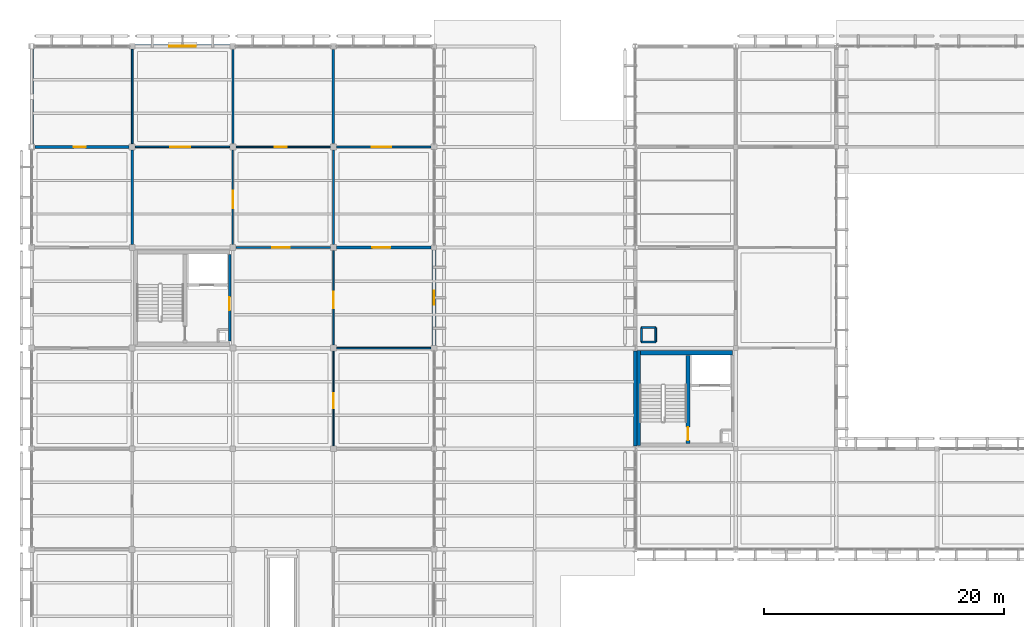
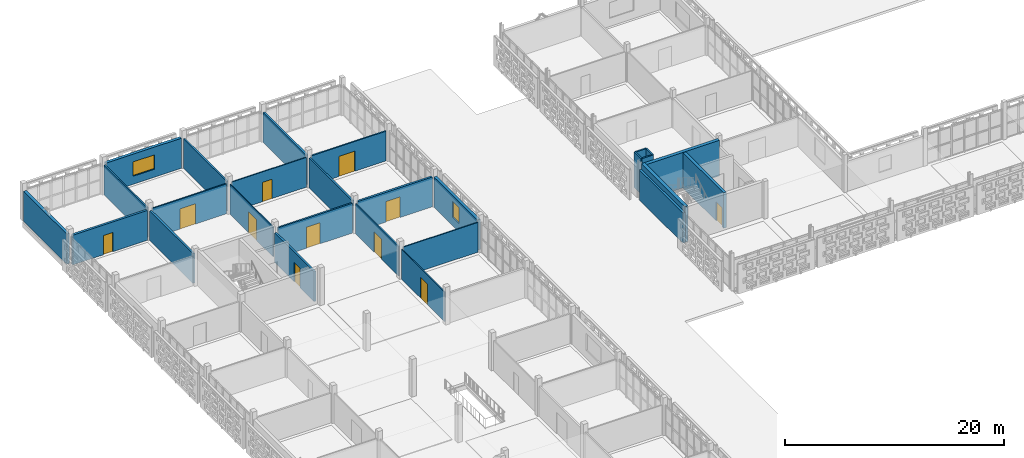
# One storey, part 100 of 166: 27 walls, 11 doors, 2 windows, 13 openings.
"""IFC4 building model written with IfcOpenShell, lengths in metres."""

from ifc_helpers import new_model, si_unit, direction, frame, frame_2d, origin, place, context, subcontext, project, spatial, rectangle, extrude, material, layer, layer_set, type_object, element, fill, save


model = new_model("IFC4")

# Units and contexts
model_context = context("Model", 3, precision=1e-05, world=origin(), true_north=direction((0.0, 1.0)))
body_context = subcontext(model_context, "Body", "Model", "MODEL_VIEW")
ifc_project = project(units=[si_unit("LENGTHUNIT", "METRE"), si_unit("AREAUNIT", "SQUARE_METRE"), si_unit("VOLUMEUNIT", "CUBIC_METRE"), si_unit("PLANEANGLEUNIT", "RADIAN"), si_unit("MASSUNIT", "GRAM", prefix="KILO")], contexts=[model_context])

# Site, building, storey
site_placement = place(None, origin())
site = spatial("IfcSite", under=ifc_project, at=site_placement, CompositionType="ELEMENT")
building_placement = place(site_placement, origin())
building = spatial("IfcBuilding", under=site, at=building_placement, Name="Varnapada Polytechnic", CompositionType="ELEMENT")
storey_placement = place(building_placement, frame((0.0, 0.0, 9.60009765625)))
storey = spatial("IfcBuildingStorey", under=building, at=storey_placement, Name="L02", CompositionType="ELEMENT", Elevation=9.60009765625)

# Wall, opening, door
ifc_material_1 = material(Name="Autoclaved Aerated Concrete Block AAC-600", Category="concrete")
ifc_layer_1 = layer(ifc_material_1, 0.199951171875)
ifc_layer_set_1 = layer_set([ifc_layer_1], Name="Autoclaved Aerated Concrete Block AAC-600")
wall_type_1 = type_object("IfcWallType", Name="Interior Wall IW-01", PredefinedType="PARTITIONING", material=ifc_layer_set_1)
wall_1_placement = place(storey_placement, frame((16.5400390625, 108.60009765625, 0.0), z_axis=(0.0, 0.0, 1.0), x_axis=(0.0, -1.0, 0.0)))
wall_1 = element("IfcWall", 1, at=wall_1_placement, inside=storey, type_object=wall_type_1, Name="L02 C1 firefighting lobby east wall", PredefinedType="PARTITIONING", context=body_context, shape_type="SweptSolid", body=[
    extrude(rectangle(XDim=7.2001953125, YDim=0.199951171875, at=frame_2d((3.60009765625, 0.0))), origin(), (0.0, 0.0, 1.0), 3.31982421875),
])
opening_1_placement = place(wall_1_placement, frame((3.550048828125, 0.0, 0.0)))
opening_1 = element("IfcOpeningElement", 2, at=opening_1_placement, cuts=wall_1, Name="Opening D-1086", PredefinedType="OPENING", context=body_context, shape_type="SweptSolid", body=[
    extrude(rectangle(XDim=1.10009765625, YDim=2.14990234375, at=frame_2d((0.550048828125, 1.074951171875))), frame((0.0, 0.10986328125, 0.0), z_axis=(0.0, -1.0, 0.0), x_axis=(1.0, 0.0, 0.0)), (0.0, 0.0, 1.0), 0.219970703125),
])
ifc_material_2 = material(Name="Galvanized Steel Z275", Category="steel")
door_type_1 = type_object("IfcDoorType", Name="Interior Door ID-01", OperationType="NOTDEFINED", PredefinedType="DOOR", material=ifc_material_2)
door_1_placement = place(opening_1_placement, frame((1.10009765625, 0.0, 0.0), z_axis=(0.0, 0.0, 1.0), x_axis=(-1.0, 0.0, 0.0)))
door_1 = element("IfcDoor", 3, at=door_1_placement, inside=storey, type_object=door_type_1, Name="L02 C1 lobby fire door D-1086", OperationType="SINGLE_SWING_RIGHT", OverallHeight=2.14990234375, OverallWidth=1.10009765625, PredefinedType="DOOR", context=body_context, shape_type="SweptSolid", body=[
    extrude(rectangle(XDim=1.10009765625, YDim=2.14990234375, at=frame_2d((0.550048828125, 1.074951171875))), frame((0.0, 0.02490234375, 0.0), z_axis=(0.0, -1.0, 0.0), x_axis=(1.0, 0.0, 0.0)), (0.0, 0.0, 1.0), 0.050048828125),
])
fill(opening_1, door_1)

# Walls
ifc_layer_2 = layer(ifc_material_1, 0.14990234375)
ifc_layer_set_2 = layer_set([ifc_layer_2], Name="Autoclaved Aerated Concrete Block AAC-600")
wall_type_2 = type_object("IfcWallType", Name="Interior Wall IW-02", PredefinedType="PARTITIONING", material=ifc_layer_set_2)
wall_2_placement = place(storey_placement, frame((50.919921875, 101.320068359375, 0.0), z_axis=(0.0, 0.0, 1.0), x_axis=(1.0, 0.0, 0.0)))
element("IfcWall", 4, at=wall_2_placement, inside=storey, type_object=wall_type_2, Name="L02 enclosed service riser wall (7,13) S", PredefinedType="PARTITIONING", context=body_context, shape_type="SweptSolid", body=[
    extrude(rectangle(XDim=1.2001953125, YDim=0.14990234375, at=frame_2d((0.60009765625, 0.0))), origin(), (0.0, 0.0, 1.0), 3.9599609375),
])
wall_3_placement = place(storey_placement, frame((52.1201171875, 101.320068359375, 0.0), z_axis=(0.0, 0.0, 1.0), x_axis=(0.0, 1.0, 0.0)))
element("IfcWall", 5, at=wall_3_placement, inside=storey, type_object=wall_type_2, Name="L02 enclosed service riser wall (7,13) E", PredefinedType="PARTITIONING", context=body_context, shape_type="SweptSolid", body=[
    extrude(rectangle(XDim=1.199951171875, YDim=0.14990234375, at=frame_2d((0.60009765625, 0.0))), origin(), (0.0, 0.0, 1.0), 3.9599609375),
])
wall_4_placement = place(storey_placement, frame((52.1201171875, 102.52001953125, 0.0), z_axis=(0.0, 0.0, 1.0), x_axis=(-1.0, 0.0, 0.0)))
element("IfcWall", 6, at=wall_4_placement, inside=storey, type_object=wall_type_2, Name="L02 enclosed service riser wall (7,13) N", PredefinedType="PARTITIONING", context=body_context, shape_type="SweptSolid", body=[
    extrude(rectangle(XDim=1.2001953125, YDim=0.14990234375, at=frame_2d((0.60009765625, 0.0))), origin(), (0.0, 0.0, 1.0), 3.9599609375),
])
wall_5_placement = place(storey_placement, frame((50.919921875, 102.52001953125, 0.0), z_axis=(0.0, 0.0, 1.0), x_axis=(0.0, -1.0, 0.0)))
element("IfcWall", 7, at=wall_5_placement, inside=storey, type_object=wall_type_2, Name="L02 enclosed service riser wall (7,13) W", PredefinedType="PARTITIONING", context=body_context, shape_type="SweptSolid", body=[
    extrude(rectangle(XDim=1.199951171875, YDim=0.14990234375, at=frame_2d((0.60009765625, 0.0))), origin(), (0.0, 0.0, 1.0), 3.9599609375),
])
wall_6_placement = place(storey_placement, frame((8.39990234375, 117.8701171875, 0.0), z_axis=(0.0, 0.0, 1.0), x_axis=(0.0, 1.0, 0.0)))
element("IfcWall", 8, at=wall_6_placement, inside=storey, type_object=wall_type_2, Name="L02 interior partition IW-L02-00-14-V", PredefinedType="PARTITIONING", context=body_context, shape_type="SweptSolid", body=[
    extrude(rectangle(XDim=7.869873046875, YDim=0.14990234375, at=frame_2d((3.93505859375, 0.0))), origin(), (0.0, 0.0, 1.0), 3.31982421875),
])

# Wall, opening, door
ifc_material_3 = material(Name="Operable Acoustic Seminar Partition")
ifc_layer_3 = layer(ifc_material_3, 0.10009765625)
ifc_layer_set_3 = layer_set([ifc_layer_3], Name="Operable Acoustic Seminar Partition")
wall_type_3 = type_object("IfcWallType", Name="Interior Wall IW-08", PredefinedType="MOVABLE", material=ifc_layer_set_3)
wall_7_placement = place(storey_placement, frame((16.800048828125, 109.4599609375, 0.0), z_axis=(0.0, 0.0, 1.0), x_axis=(0.0, 1.0, 0.0)))
wall_7 = element("IfcWall", 9, at=wall_7_placement, inside=storey, type_object=wall_type_3, Name="L02 interior partition IW-L02-01-13-V", PredefinedType="MOVABLE", context=body_context, shape_type="SweptSolid", body=[
    extrude(rectangle(XDim=7.8701171875, YDim=0.10009765625, at=frame_2d((3.93505859375, 0.0))), origin(), (0.0, 0.0, 1.0), 3.31982421875),
])
opening_2_placement = place(wall_7_placement, frame((3.0, 0.0, 0.0)))
opening_2 = element("IfcOpeningElement", 10, at=opening_2_placement, cuts=wall_7, Name="Opening D-1110", PredefinedType="OPENING", context=body_context, shape_type="SweptSolid", body=[
    extrude(rectangle(XDim=1.5, YDim=2.300048828125, at=frame_2d((0.75, 1.14990234375))), frame((0.0, 0.06005859375, 0.0), z_axis=(0.0, -1.0, 0.0), x_axis=(1.0, 0.0, 0.0)), (0.0, 0.0, 1.0), 0.1201171875),
])
door_type_2 = type_object("IfcDoorType", Name="Interior Door ID-07", OperationType="NOTDEFINED", PredefinedType="DOOR", material=ifc_material_2)
door_2_placement = place(opening_2_placement, origin())
door_2 = element("IfcDoor", 11, at=door_2_placement, inside=storey, type_object=door_type_2, Name="L02 interior room door D-1110", OperationType="SINGLE_SWING_LEFT", OverallHeight=2.300048828125, OverallWidth=1.5, PredefinedType="DOOR", context=body_context, shape_type="SweptSolid", body=[
    extrude(rectangle(XDim=1.5, YDim=2.300048828125, at=frame_2d((0.75, 1.14990234375))), frame((0.0, 0.02490234375, 0.0), z_axis=(0.0, -1.0, 0.0), x_axis=(1.0, 0.0, 0.0)), (0.0, 0.0, 1.0), 0.050048828125),
])
fill(opening_2, door_2)

wall_8_placement = place(storey_placement, frame((25.199951171875, 92.659912109375, 0.0), z_axis=(0.0, 0.0, 1.0), x_axis=(0.0, 1.0, 0.0)))
wall_8 = element("IfcWall", 12, at=wall_8_placement, inside=storey, type_object=wall_type_3, Name="L02 interior partition IW-L02-02-11-V", PredefinedType="MOVABLE", context=body_context, shape_type="SweptSolid", body=[
    extrude(rectangle(XDim=7.8701171875, YDim=0.10009765625, at=frame_2d((3.93505859375, 0.0))), origin(), (0.0, 0.0, 1.0), 3.31982421875),
])
opening_3_placement = place(wall_8_placement, frame((3.125, 0.0, 0.0)))
opening_3 = element("IfcOpeningElement", 13, at=opening_3_placement, cuts=wall_8, Name="Opening D-1119", PredefinedType="OPENING", context=body_context, shape_type="SweptSolid", body=[
    extrude(rectangle(XDim=1.25, YDim=2.300048828125, at=frame_2d((0.625, 1.14990234375))), frame((0.0, 0.06005859375, 0.0), z_axis=(0.0, -1.0, 0.0), x_axis=(1.0, 0.0, 0.0)), (0.0, 0.0, 1.0), 0.1201171875),
])
ifc_material_4 = material(Name="Solid Teak Hardwood Timber", Category="wood")
door_type_3 = type_object("IfcDoorType", Name="Interior Door ID-16", OperationType="NOTDEFINED", PredefinedType="DOOR", material=ifc_material_4)
door_3_placement = place(opening_3_placement, origin())
door_3 = element("IfcDoor", 14, at=door_3_placement, inside=storey, type_object=door_type_3, Name="L02 interior room door D-1119", OperationType="SINGLE_SWING_RIGHT", OverallHeight=2.300048828125, OverallWidth=1.25, PredefinedType="DOOR", context=body_context, shape_type="SweptSolid", body=[
    extrude(rectangle(XDim=1.25, YDim=2.300048828125, at=frame_2d((0.625, 1.14990234375))), frame((0.0, 0.02490234375, 0.0), z_axis=(0.0, -1.0, 0.0), x_axis=(1.0, 0.0, 0.0)), (0.0, 0.0, 1.0), 0.050048828125),
])
fill(opening_3, door_3)

ifc_material_5 = material(Name="Calcium Silicate Acoustic Lab Partition")
ifc_layer_4 = layer(ifc_material_5, 0.135009765625)
ifc_layer_set_4 = layer_set([ifc_layer_4], Name="Calcium Silicate Acoustic Lab Partition")
wall_type_4 = type_object("IfcWallType", Name="Interior Wall IW-09", PredefinedType="PARTITIONING", material=ifc_layer_set_4)
wall_9_placement = place(storey_placement, frame((8.669921875, 117.60009765625, 0.0), z_axis=(0.0, 0.0, 1.0), x_axis=(1.0, 0.0, 0.0)))
wall_9 = element("IfcWall", 15, at=wall_9_placement, inside=storey, type_object=wall_type_4, Name="L02 interior partition IW-L02-01-13-H", PredefinedType="PARTITIONING", context=body_context, shape_type="SweptSolid", body=[
    extrude(rectangle(XDim=7.860107421875, YDim=0.135009765625, at=frame_2d((3.93017578125, 0.0))), origin(), (0.0, 0.0, 1.0), 3.31982421875),
])
opening_4_placement = place(wall_9_placement, frame((2.925048828125, 0.0, 0.0)))
opening_4 = element("IfcOpeningElement", 16, at=opening_4_placement, cuts=wall_9, Name="Opening D-1111", PredefinedType="OPENING", context=body_context, shape_type="SweptSolid", body=[
    extrude(rectangle(XDim=1.64990234375, YDim=2.25, at=frame_2d((0.824951171875, 1.125))), frame((0.0, 0.077392578125, 0.0), z_axis=(0.0, -1.0, 0.0), x_axis=(1.0, 0.0, 0.0)), (0.0, 0.0, 1.0), 0.155029296875),
])
door_type_4 = type_object("IfcDoorType", Name="Interior Door ID-08", OperationType="NOTDEFINED", PredefinedType="DOOR", material=ifc_material_4)
door_4_placement = place(opening_4_placement, origin())
door_4 = element("IfcDoor", 17, at=door_4_placement, inside=storey, type_object=door_type_4, Name="L02 interior room door D-1111", OperationType="SINGLE_SWING_RIGHT", OverallHeight=2.25, OverallWidth=1.64990234375, PredefinedType="DOOR", context=body_context, shape_type="SweptSolid", body=[
    extrude(rectangle(XDim=1.64990234375, YDim=2.25, at=frame_2d((0.824951171875, 1.125))), frame((0.0, 0.02490234375, 0.0), z_axis=(0.0, -1.0, 0.0), x_axis=(1.0, 0.0, 0.0)), (0.0, 0.0, 1.0), 0.050048828125),
])
fill(opening_4, door_4)

wall_10_placement = place(storey_placement, frame((25.199951171875, 101.070068359375, 0.0), z_axis=(0.0, 0.0, 1.0), x_axis=(0.0, 1.0, 0.0)))
wall_10 = element("IfcWall", 18, at=wall_10_placement, inside=storey, type_object=wall_type_4, Name="L02 interior partition IW-L02-02-12-V", PredefinedType="PARTITIONING", context=body_context, shape_type="SweptSolid", body=[
    extrude(rectangle(XDim=7.869873046875, YDim=0.135009765625, at=frame_2d((3.93505859375, 0.0))), origin(), (0.0, 0.0, 1.0), 3.31982421875),
])
opening_5_placement = place(wall_10_placement, frame((3.074951171875, 0.0, 0.0)))
opening_5 = element("IfcOpeningElement", 19, at=opening_5_placement, cuts=wall_10, Name="Opening D-1120", PredefinedType="OPENING", context=body_context, shape_type="SweptSolid", body=[
    extrude(rectangle(XDim=1.35009765625, YDim=2.25, at=frame_2d((0.675048828125, 1.125))), frame((0.0, 0.077392578125, 0.0), z_axis=(0.0, -1.0, 0.0), x_axis=(1.0, 0.0, 0.0)), (0.0, 0.0, 1.0), 0.155029296875),
])
ifc_material_6 = material(Name="Powder-Coated Aluminium 6063-T6", Category="aluminium")
door_type_5 = type_object("IfcDoorType", Name="Interior Door ID-17", OperationType="NOTDEFINED", PredefinedType="DOOR", material=ifc_material_6)
door_5_placement = place(opening_5_placement, origin())
door_5 = element("IfcDoor", 20, at=door_5_placement, inside=storey, type_object=door_type_5, Name="L02 interior room door D-1120", OperationType="SINGLE_SWING_LEFT", OverallHeight=2.25, OverallWidth=1.35009765625, PredefinedType="DOOR", context=body_context, shape_type="SweptSolid", body=[
    extrude(rectangle(XDim=1.35009765625, YDim=2.25, at=frame_2d((0.675048828125, 1.125))), frame((0.0, 0.02490234375, 0.0), z_axis=(0.0, -1.0, 0.0), x_axis=(1.0, 0.0, 0.0)), (0.0, 0.0, 1.0), 0.050048828125),
])
fill(opening_5, door_5)

# Wall
ifc_material_7 = material(Name="Double-Layer Fireboard Workshop Wall")
ifc_layer_5 = layer(ifc_material_7, 0.169921875)
ifc_layer_set_5 = layer_set([ifc_layer_5], Name="Double-Layer Fireboard Workshop Wall")
wall_type_5 = type_object("IfcWallType", Name="Interior Wall IW-10", PredefinedType="PARTITIONING", material=ifc_layer_set_5)
wall_11_placement = place(storey_placement, frame((16.800048828125, 117.8701171875, 0.0), z_axis=(0.0, 0.0, 1.0), x_axis=(0.0, 1.0, 0.0)))
element("IfcWall", 21, at=wall_11_placement, inside=storey, type_object=wall_type_5, Name="L02 interior partition IW-L02-01-14-V", PredefinedType="PARTITIONING", context=body_context, shape_type="SweptSolid", body=[
    extrude(rectangle(XDim=7.869873046875, YDim=0.169921875, at=frame_2d((3.93505859375, 0.0))), origin(), (0.0, 0.0, 1.0), 3.31982421875),
])

# Wall, opening, door
wall_12_placement = place(storey_placement, frame((17.06005859375, 109.199951171875, 0.0), z_axis=(0.0, 0.0, 1.0), x_axis=(1.0, 0.0, 0.0)))
wall_12 = element("IfcWall", 22, at=wall_12_placement, inside=storey, type_object=wall_type_5, Name="L02 interior partition IW-L02-02-12-H", PredefinedType="PARTITIONING", context=body_context, shape_type="SweptSolid", body=[
    extrude(rectangle(XDim=7.8798828125, YDim=0.169921875, at=frame_2d((3.93994140625, 0.0))), origin(), (0.0, 0.0, 1.0), 3.31982421875),
])
opening_6_placement = place(wall_12_placement, frame((3.02490234375, 0.0, 0.0)))
opening_6 = element("IfcOpeningElement", 23, at=opening_6_placement, cuts=wall_12, Name="Opening D-1121", PredefinedType="OPENING", context=body_context, shape_type="SweptSolid", body=[
    extrude(rectangle(XDim=1.449951171875, YDim=2.35009765625, at=frame_2d((0.72509765625, 1.175048828125))), frame((0.0, 0.094970703125, 0.0), z_axis=(0.0, -1.0, 0.0), x_axis=(1.0, 0.0, 0.0)), (0.0, 0.0, 1.0), 0.18994140625),
])
door_type_6 = type_object("IfcDoorType", Name="Interior Door ID-18", OperationType="NOTDEFINED", PredefinedType="DOOR", material=ifc_material_2)
door_6_placement = place(opening_6_placement, frame((1.449951171875, 0.0, 0.0), z_axis=(0.0, 0.0, 1.0), x_axis=(-1.0, 0.0, 0.0)))
door_6 = element("IfcDoor", 24, at=door_6_placement, inside=storey, type_object=door_type_6, Name="L02 interior room door D-1121", OperationType="SINGLE_SWING_RIGHT", OverallHeight=2.35009765625, OverallWidth=1.449951171875, PredefinedType="DOOR", context=body_context, shape_type="SweptSolid", body=[
    extrude(rectangle(XDim=1.449951171875, YDim=2.35009765625, at=frame_2d((0.72509765625, 1.175048828125))), frame((0.0, 0.02490234375, 0.0), z_axis=(0.0, -1.0, 0.0), x_axis=(1.0, 0.0, 0.0)), (0.0, 0.0, 1.0), 0.050048828125),
])
fill(opening_6, door_6)

# Wall
ifc_material_8 = material(Name="Insulated Masonry Plant Room Wall", Category="masonry")
ifc_layer_6 = layer(ifc_material_8, 0.18994140625)
ifc_layer_set_6 = layer_set([ifc_layer_6], Name="Insulated Masonry Plant Room Wall")
wall_type_6 = type_object("IfcWallType", Name="Interior Wall IW-11", PredefinedType="PARTITIONING", material=ifc_layer_set_6)
wall_13_placement = place(storey_placement, frame((25.199951171875, 109.4599609375, 0.0), z_axis=(0.0, 0.0, 1.0), x_axis=(0.0, 1.0, 0.0)))
element("IfcWall", 25, at=wall_13_placement, inside=storey, type_object=wall_type_6, Name="L02 interior partition IW-L02-02-13-V", PredefinedType="PARTITIONING", context=body_context, shape_type="SweptSolid", body=[
    extrude(rectangle(XDim=7.8701171875, YDim=0.18994140625, at=frame_2d((3.93505859375, 0.0))), origin(), (0.0, 0.0, 1.0), 3.31982421875),
])

# Wall, opening, door
ifc_material_9 = material(Name="Timber-Stud Studio Critique Partition", Category="wood")
ifc_layer_7 = layer(ifc_material_9, 0.114990234375)
ifc_layer_set_7 = layer_set([ifc_layer_7], Name="Timber-Stud Studio Critique Partition")
wall_type_7 = type_object("IfcWallType", Name="Interior Wall IW-12", PredefinedType="PARTITIONING", material=ifc_layer_set_7)
wall_14_placement = place(storey_placement, frame((17.070068359375, 117.60009765625, 0.0), z_axis=(0.0, 0.0, 1.0), x_axis=(1.0, 0.0, 0.0)))
wall_14 = element("IfcWall", 26, at=wall_14_placement, inside=storey, type_object=wall_type_7, Name="L02 interior partition IW-L02-02-13-H", PredefinedType="PARTITIONING", context=body_context, shape_type="SweptSolid", body=[
    extrude(rectangle(XDim=7.85986328125, YDim=0.114990234375, at=frame_2d((3.929931640625, 0.0))), origin(), (0.0, 0.0, 1.0), 3.31982421875),
])
opening_7_placement = place(wall_14_placement, frame((3.25, 0.0, 0.0)))
opening_7 = element("IfcOpeningElement", 27, at=opening_7_placement, cuts=wall_14, Name="Opening D-1122", PredefinedType="OPENING", context=body_context, shape_type="SweptSolid", body=[
    extrude(rectangle(XDim=1.0, YDim=2.14990234375, at=frame_2d((0.5, 1.074951171875))), frame((0.0, 0.0673828125, 0.0), z_axis=(0.0, -1.0, 0.0), x_axis=(1.0, 0.0, 0.0)), (0.0, 0.0, 1.0), 0.135009765625),
])
door_type_7 = type_object("IfcDoorType", Name="Interior Door ID-02", OperationType="NOTDEFINED", PredefinedType="DOOR", material=ifc_material_4)
door_7_placement = place(opening_7_placement, origin())
door_7 = element("IfcDoor", 28, at=door_7_placement, inside=storey, type_object=door_type_7, Name="L02 interior room door D-1122", OperationType="SINGLE_SWING_LEFT", OverallHeight=2.14990234375, OverallWidth=1.0, PredefinedType="DOOR", context=body_context, shape_type="SweptSolid", body=[
    extrude(rectangle(XDim=1.0, YDim=2.14990234375, at=frame_2d((0.5, 1.074951171875))), frame((0.0, 0.02490234375, 0.0), z_axis=(0.0, -1.0, 0.0), x_axis=(1.0, 0.0, 0.0)), (0.0, 0.0, 1.0), 0.050048828125),
])
fill(opening_7, door_7)

# Walls
wall_15_placement = place(storey_placement, frame((25.469970703125, 100.800048828125, 0.0), z_axis=(0.0, 0.0, 1.0), x_axis=(1.0, 0.0, 0.0)))
element("IfcWall", 29, at=wall_15_placement, inside=storey, type_object=wall_type_7, Name="L02 interior partition IW-L02-03-11-H", PredefinedType="PARTITIONING", context=body_context, shape_type="SweptSolid", body=[
    extrude(rectangle(XDim=7.880126953125, YDim=0.114990234375, at=frame_2d((3.93994140625, 0.0))), origin(), (0.0, 0.0, 1.0), 3.31982421875),
])
ifc_material_10 = material(Name="Heavy Acoustic Auditorium Baffle Wall")
ifc_layer_8 = layer(ifc_material_10, 0.219970703125)
ifc_layer_set_8 = layer_set([ifc_layer_8], Name="Heavy Acoustic Auditorium Baffle Wall")
wall_type_8 = type_object("IfcWallType", Name="Interior Wall IW-13", PredefinedType="PARTITIONING", material=ifc_layer_set_8)
wall_16_placement = place(storey_placement, frame((25.199951171875, 117.8701171875, 0.0), z_axis=(0.0, 0.0, 1.0), x_axis=(0.0, 1.0, 0.0)))
element("IfcWall", 30, at=wall_16_placement, inside=storey, type_object=wall_type_8, Name="L02 interior partition IW-L02-02-14-V", PredefinedType="PARTITIONING", context=body_context, shape_type="SweptSolid", body=[
    extrude(rectangle(XDim=7.869873046875, YDim=0.219970703125, at=frame_2d((3.93505859375, 0.0))), origin(), (0.0, 0.0, 1.0), 3.31982421875),
])

# Wall, opening, door
wall_17_placement = place(storey_placement, frame((25.4599609375, 109.199951171875, 0.0), z_axis=(0.0, 0.0, 1.0), x_axis=(1.0, 0.0, 0.0)))
wall_17 = element("IfcWall", 31, at=wall_17_placement, inside=storey, type_object=wall_type_8, Name="L02 interior partition IW-L02-03-12-H", PredefinedType="PARTITIONING", context=body_context, shape_type="SweptSolid", body=[
    extrude(rectangle(XDim=7.900146484375, YDim=0.219970703125, at=frame_2d((3.9501953125, 0.0))), origin(), (0.0, 0.0, 1.0), 3.31982421875),
])
opening_8_placement = place(wall_17_placement, frame((3.0, 0.0, 0.0)))
opening_8 = element("IfcOpeningElement", 32, at=opening_8_placement, cuts=wall_17, Name="Opening D-1127", PredefinedType="OPENING", context=body_context, shape_type="SweptSolid", body=[
    extrude(rectangle(XDim=1.5, YDim=2.300048828125, at=frame_2d((0.75, 1.14990234375))), frame((0.0, 0.119873046875, 0.0), z_axis=(0.0, -1.0, 0.0), x_axis=(1.0, 0.0, 0.0)), (0.0, 0.0, 1.0), 0.239990234375),
])
door_8_placement = place(opening_8_placement, frame((1.5, 0.0, 0.0), z_axis=(0.0, 0.0, 1.0), x_axis=(-1.0, 0.0, 0.0)))
door_8 = element("IfcDoor", 33, at=door_8_placement, inside=storey, type_object=door_type_2, Name="L02 interior room door D-1127", OperationType="SINGLE_SWING_RIGHT", OverallHeight=2.300048828125, OverallWidth=1.5, PredefinedType="DOOR", context=body_context, shape_type="SweptSolid", body=[
    extrude(rectangle(XDim=1.5, YDim=2.300048828125, at=frame_2d((0.75, 1.14990234375))), frame((0.0, 0.02490234375, 0.0), z_axis=(0.0, -1.0, 0.0), x_axis=(1.0, 0.0, 0.0)), (0.0, 0.0, 1.0), 0.050048828125),
])
fill(opening_8, door_8)

ifc_material_11 = material(Name="Ceramic-Tiled Wet Laboratory Wall")
ifc_layer_9 = layer(ifc_material_11, 0.14501953125)
ifc_layer_set_9 = layer_set([ifc_layer_9], Name="Ceramic-Tiled Wet Laboratory Wall")
wall_type_9 = type_object("IfcWallType", Name="Interior Wall IW-14", PredefinedType="PARTITIONING", material=ifc_layer_set_9)
wall_18_placement = place(storey_placement, frame((25.469970703125, 117.60009765625, 0.0), z_axis=(0.0, 0.0, 1.0), x_axis=(1.0, 0.0, 0.0)))
wall_18 = element("IfcWall", 34, at=wall_18_placement, inside=storey, type_object=wall_type_9, Name="L02 interior partition IW-L02-03-13-H", PredefinedType="PARTITIONING", context=body_context, shape_type="SweptSolid", body=[
    extrude(rectangle(XDim=7.880126953125, YDim=0.14501953125, at=frame_2d((3.93994140625, 0.0))), origin(), (0.0, 0.0, 1.0), 3.31982421875),
])
opening_9_placement = place(wall_18_placement, frame((2.925048828125, 0.0, 0.0)))
opening_9 = element("IfcOpeningElement", 35, at=opening_9_placement, cuts=wall_18, Name="Opening D-1128", PredefinedType="OPENING", context=body_context, shape_type="SweptSolid", body=[
    extrude(rectangle(XDim=1.64990234375, YDim=2.25, at=frame_2d((0.824951171875, 1.125))), frame((0.0, 0.08251953125, 0.0), z_axis=(0.0, -1.0, 0.0), x_axis=(1.0, 0.0, 0.0)), (0.0, 0.0, 1.0), 0.1650390625),
])
door_9_placement = place(opening_9_placement, origin())
door_9 = element("IfcDoor", 36, at=door_9_placement, inside=storey, type_object=door_type_4, Name="L02 interior room door D-1128", OperationType="SINGLE_SWING_LEFT", OverallHeight=2.25, OverallWidth=1.64990234375, PredefinedType="DOOR", context=body_context, shape_type="SweptSolid", body=[
    extrude(rectangle(XDim=1.64990234375, YDim=2.25, at=frame_2d((0.824951171875, 1.125))), frame((0.0, 0.02490234375, 0.0), z_axis=(0.0, -1.0, 0.0), x_axis=(1.0, 0.0, 0.0)), (0.0, 0.0, 1.0), 0.050048828125),
])
fill(opening_9, door_9)

# Wall
ifc_material_12 = material(Name="Heavy Masonry Workshop Partition", Category="masonry")
ifc_layer_10 = layer(ifc_material_12, 0.2099609375)
ifc_layer_set_10 = layer_set([ifc_layer_10], Name="Heavy Masonry Workshop Partition")
wall_type_10 = type_object("IfcWallType", Name="Interior Wall IW-16", PredefinedType="PARTITIONING", material=ifc_layer_set_10)
wall_19_placement = place(storey_placement, frame((8.39990234375, 109.4599609375, 0.0), z_axis=(0.0, 0.0, 1.0), x_axis=(0.0, 1.0, 0.0)))
element("IfcWall", 37, at=wall_19_placement, inside=storey, type_object=wall_type_10, Name="L02 interior partition IW-L02-00-13-V", PredefinedType="PARTITIONING", context=body_context, shape_type="SweptSolid", body=[
    extrude(rectangle(XDim=7.8701171875, YDim=0.2099609375, at=frame_2d((3.93505859375, 0.0))), origin(), (0.0, 0.0, 1.0), 3.31982421875),
])

# Wall, opening, door
ifc_material_13 = material(Name="Double-Leaf Acoustic Lecture Wall")
ifc_layer_11 = layer(ifc_material_13, 0.235107421875)
ifc_layer_set_11 = layer_set([ifc_layer_11], Name="Double-Leaf Acoustic Lecture Wall")
wall_type_11 = type_object("IfcWallType", Name="Interior Wall IW-17", PredefinedType="PARTITIONING", material=ifc_layer_set_11)
wall_20_placement = place(storey_placement, frame((0.27001953125, 117.60009765625, 0.0), z_axis=(0.0, 0.0, 1.0), x_axis=(1.0, 0.0, 0.0)))
wall_20 = element("IfcWall", 38, at=wall_20_placement, inside=storey, type_object=wall_type_11, Name="L02 interior partition IW-L02-00-13-H", PredefinedType="PARTITIONING", context=body_context, shape_type="SweptSolid", body=[
    extrude(rectangle(XDim=7.85986328125, YDim=0.235107421875, at=frame_2d((3.929931640625, 0.0))), origin(), (0.0, 0.0, 1.0), 3.31982421875),
])
opening_10_placement = place(wall_20_placement, frame((3.25, 0.0, 0.0)))
opening_10 = element("IfcOpeningElement", 39, at=opening_10_placement, cuts=wall_20, Name="Opening D-1105", PredefinedType="OPENING", context=body_context, shape_type="SweptSolid", body=[
    extrude(rectangle(XDim=1.0, YDim=2.14990234375, at=frame_2d((0.5, 1.074951171875))), frame((0.0, 0.12744140625, 0.0), z_axis=(0.0, -1.0, 0.0), x_axis=(1.0, 0.0, 0.0)), (0.0, 0.0, 1.0), 0.255126953125),
])
door_10_placement = place(opening_10_placement, origin())
door_10 = element("IfcDoor", 40, at=door_10_placement, inside=storey, type_object=door_type_7, Name="L02 interior room door D-1105", OperationType="SINGLE_SWING_RIGHT", OverallHeight=2.14990234375, OverallWidth=1.0, PredefinedType="DOOR", context=body_context, shape_type="SweptSolid", body=[
    extrude(rectangle(XDim=1.0, YDim=2.14990234375, at=frame_2d((0.5, 1.074951171875))), frame((0.0, 0.02490234375, 0.0), z_axis=(0.0, -1.0, 0.0), x_axis=(1.0, 0.0, 0.0)), (0.0, 0.0, 1.0), 0.050048828125),
])
fill(opening_10, door_10)

# Walls
ifc_material_14 = material(Name="Concrete C40/50", Category="concrete")
ifc_layer_12 = layer(ifc_material_14, 0.35009765625)
ifc_layer_set_12 = layer_set([ifc_layer_12], Name="Concrete C40/50")
wall_type_12 = type_object("IfcWallType", Name="Interior Wall SW-01", PredefinedType="SHEAR", material=ifc_layer_set_12)
wall_21_placement = place(storey_placement, frame((50.6650390625, 92.64990234375, 0.0), z_axis=(0.0, 0.0, 1.0), x_axis=(0.0, 1.0, 0.0)))
element("IfcWall", 41, at=wall_21_placement, inside=storey, type_object=wall_type_12, Name="L02 C4 stair west shear wall", PredefinedType="SHEAR", context=body_context, shape_type="SweptSolid", body=[
    extrude(rectangle(XDim=7.940185546875, YDim=0.35009765625, at=frame_2d((3.97021484375, 0.0))), origin(), (0.0, 0.0, 1.0), 3.9599609375),
])
wall_22_placement = place(storey_placement, frame((50.6650390625, 100.419921875, 0.0), z_axis=(0.0, 0.0, 1.0), x_axis=(1.0, 0.0, 0.0)))
element("IfcWall", 42, at=wall_22_placement, inside=storey, type_object=wall_type_12, Name="L02 C4 core north shear wall", PredefinedType="SHEAR", context=body_context, shape_type="SweptSolid", body=[
    extrude(rectangle(XDim=7.875, YDim=0.35009765625, at=frame_2d((3.9375, 0.0))), origin(), (0.0, 0.0, 1.0), 3.9599609375),
])

# Wall, opening, door
ifc_layer_13 = layer(ifc_material_14, 0.300048828125)
ifc_layer_set_13 = layer_set([ifc_layer_13], Name="Concrete C40/50")
wall_type_13 = type_object("IfcWallType", Name="Interior Wall SW-02", PredefinedType="SHEAR", material=ifc_layer_set_13)
wall_23_placement = place(storey_placement, frame((54.81005859375, 92.820068359375, 0.0), z_axis=(0.0, 0.0, 1.0), x_axis=(0.0, 1.0, 0.0)))
wall_23 = element("IfcWall", 43, at=wall_23_placement, inside=storey, type_object=wall_type_13, Name="L02 C4 stair-lobby dividing shear wall", PredefinedType="SHEAR", context=body_context, shape_type="SweptSolid", body=[
    extrude(rectangle(XDim=7.3798828125, YDim=0.300048828125, at=frame_2d((3.68994140625, 0.0))), origin(), (0.0, 0.0, 1.0), 3.9599609375),
])
opening_11_placement = place(wall_23_placement, frame((0.280029296875, 0.0, 0.0)))
opening_11 = element("IfcOpeningElement", 44, at=opening_11_placement, cuts=wall_23, Name="Opening D-1091", PredefinedType="OPENING", context=body_context, shape_type="SweptSolid", body=[
    extrude(rectangle(XDim=1.10009765625, YDim=2.14990234375, at=frame_2d((0.550048828125, 1.074951171875))), frame((0.0, 0.159912109375, 0.0), z_axis=(0.0, -1.0, 0.0), x_axis=(1.0, 0.0, 0.0)), (0.0, 0.0, 1.0), 0.320068359375),
])
door_11_placement = place(opening_11_placement, origin())
door_11 = element("IfcDoor", 45, at=door_11_placement, inside=storey, type_object=door_type_1, Name="L02 C4 exit stair door D-1091", OperationType="SINGLE_SWING_RIGHT", OverallHeight=2.14990234375, OverallWidth=1.10009765625, PredefinedType="DOOR", context=body_context, shape_type="SweptSolid", body=[
    extrude(rectangle(XDim=1.10009765625, YDim=2.14990234375, at=frame_2d((0.550048828125, 1.074951171875))), frame((0.0, 0.02490234375, 0.0), z_axis=(0.0, -1.0, 0.0), x_axis=(1.0, 0.0, 0.0)), (0.0, 0.0, 1.0), 0.050048828125),
])
fill(opening_11, door_11)

# Wall
ifc_material_15 = material(Name="Precast concrete C40/50", Category="concrete")
ifc_layer_14 = layer(ifc_material_15, 0.300048828125)
ifc_layer_set_14 = layer_set([ifc_layer_14], Name="Precast concrete C40/50")
wall_type_14 = type_object("IfcWallType", Name="Wall EW-01", PredefinedType="SOLIDWALL", material=ifc_layer_set_14)
wall_24_placement = place(storey_placement, frame((0.0, 117.85009765625, 0.0), z_axis=(0.0, 0.0, 1.0), x_axis=(0.0, 1.0, 0.0)))
element("IfcWall", 46, at=wall_24_placement, inside=storey, type_object=wall_type_14, Name="L02 exterior wall EW-01 (12)", PredefinedType="SOLIDWALL", context=body_context, shape_type="SweptSolid", body=[
    extrude(rectangle(XDim=7.909912109375, YDim=0.300048828125, at=frame_2d((3.955078125, 0.0))), origin(), (0.0, 0.0, 1.0), 3.35986328125),
])

# Wall, opening, window
wall_25_placement = place(storey_placement, frame((8.639892578125, 126.0, 0.0), z_axis=(0.0, 0.0, 1.0), x_axis=(1.0, 0.0, 0.0)))
wall_25 = element("IfcWall", 47, at=wall_25_placement, inside=storey, type_object=wall_type_14, Name="L02 exterior wall EW-01 (19)", PredefinedType="SOLIDWALL", context=body_context, shape_type="SweptSolid", body=[
    extrude(rectangle(XDim=7.920166015625, YDim=0.300048828125, at=frame_2d((3.9599609375, 0.0))), origin(), (0.0, 0.0, 1.0), 3.35986328125),
])
opening_12_placement = place(wall_25_placement, frame((2.8349609375, 0.0, 0.89990234375)))
opening_12 = element("IfcOpeningElement", 48, at=opening_12_placement, cuts=wall_25, Name="Opening WN-33", PredefinedType="OPENING", context=body_context, shape_type="SweptSolid", body=[
    extrude(rectangle(XDim=2.25, YDim=1.60009765625, at=frame_2d((1.125, 0.800048828125))), frame((0.0, 0.159912109375, 0.0), z_axis=(0.0, -1.0, 0.0), x_axis=(1.0, 0.0, 0.0)), (0.0, 0.0, 1.0), 0.320068359375),
])
ifc_material_16 = material(Name="Double low-E laminated glass", Category="glass")
window_type_1 = type_object("IfcWindowType", Name="Window WN-33", PartitioningType="SINGLE_PANEL", PredefinedType="WINDOW", material=ifc_material_16)
window_1_placement = place(opening_12_placement, origin())
window_1 = element("IfcWindow", 49, at=window_1_placement, inside=storey, type_object=window_type_1, Name="L02 window WN-33 (108)", OverallHeight=1.60009765625, OverallWidth=2.25, PartitioningType="SINGLE_PANEL", PredefinedType="WINDOW", context=body_context, shape_type="SweptSolid", body=[
    extrude(rectangle(XDim=2.25, YDim=1.60009765625, at=frame_2d((1.125, 0.800048828125))), frame((0.0, 0.030029296875, 0.0), z_axis=(0.0, -1.0, 0.0), x_axis=(1.0, 0.0, 0.0)), (0.0, 0.0, 1.0), 0.06005859375),
])
fill(opening_12, window_1)

wall_26_placement = place(storey_placement, frame((33.60009765625, 108.97998046875, 0.0), z_axis=(0.0, 0.0, 1.0), x_axis=(0.0, -1.0, 0.0)))
wall_26 = element("IfcWall", 50, at=wall_26_placement, inside=storey, type_object=wall_type_14, Name="L02 exterior wall EW-01 (30)", PredefinedType="SOLIDWALL", context=body_context, shape_type="SweptSolid", body=[
    extrude(rectangle(XDim=7.949951171875, YDim=0.300048828125, at=frame_2d((3.97509765625, 0.0))), origin(), (0.0, 0.0, 1.0), 3.35986328125),
])
opening_13_placement = place(wall_26_placement, frame((3.375, 0.0, 0.89990234375)))
opening_13 = element("IfcOpeningElement", 51, at=opening_13_placement, cuts=wall_26, Name="Opening WN-01", PredefinedType="OPENING", context=body_context, shape_type="SweptSolid", body=[
    extrude(rectangle(XDim=1.199951171875, YDim=1.800048828125, at=frame_2d((0.60009765625, 0.89990234375))), frame((0.0, 0.159912109375, 0.0), z_axis=(0.0, -1.0, 0.0), x_axis=(1.0, 0.0, 0.0)), (0.0, 0.0, 1.0), 0.320068359375),
])
window_type_2 = type_object("IfcWindowType", Name="Window WN-01", PartitioningType="SINGLE_PANEL", PredefinedType="WINDOW", material=ifc_material_16)
window_2_placement = place(opening_13_placement, origin())
window_2 = element("IfcWindow", 52, at=window_2_placement, inside=storey, type_object=window_type_2, Name="L02 window WN-01 (112)", OverallHeight=1.800048828125, OverallWidth=1.199951171875, PartitioningType="SINGLE_PANEL", PredefinedType="WINDOW", context=body_context, shape_type="SweptSolid", body=[
    extrude(rectangle(XDim=1.199951171875, YDim=1.800048828125, at=frame_2d((0.60009765625, 0.89990234375))), frame((0.0, 0.030029296875, 0.0), z_axis=(0.0, -1.0, 0.0), x_axis=(1.0, 0.0, 0.0)), (0.0, 0.0, 1.0), 0.06005859375),
])
fill(opening_13, window_2)

# Wall
ifc_layer_15 = layer(ifc_material_15, 0.280029296875)
ifc_layer_set_15 = layer_set([ifc_layer_15], Name="Precast concrete C40/50")
wall_type_15 = type_object("IfcWallType", Name="Wall EW-02", PredefinedType="SOLIDWALL", material=ifc_layer_set_15)
wall_27_placement = place(storey_placement, frame((50.39990234375, 92.625, 0.0), z_axis=(0.0, 0.0, 1.0), x_axis=(0.0, 1.0, 0.0)))
element("IfcWall", 53, at=wall_27_placement, inside=storey, type_object=wall_type_15, Name="L02 exterior wall EW-02 (47)", PredefinedType="SOLIDWALL", context=body_context, shape_type="SweptSolid", body=[
    extrude(rectangle(XDim=7.949951171875, YDim=0.280029296875, at=frame_2d((3.97509765625, 0.0))), origin(), (0.0, 0.0, 1.0), 3.35986328125),
])

save(model, "model.ifc")
